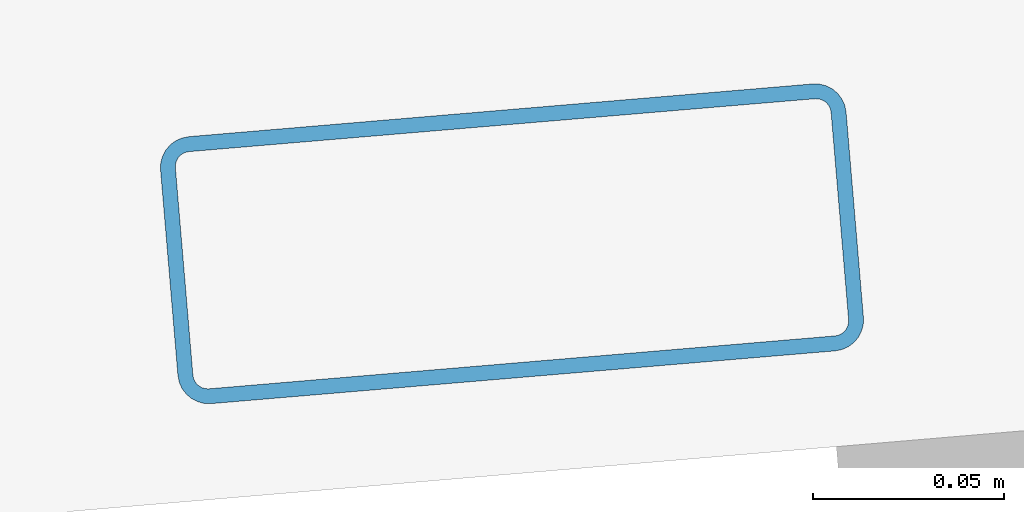
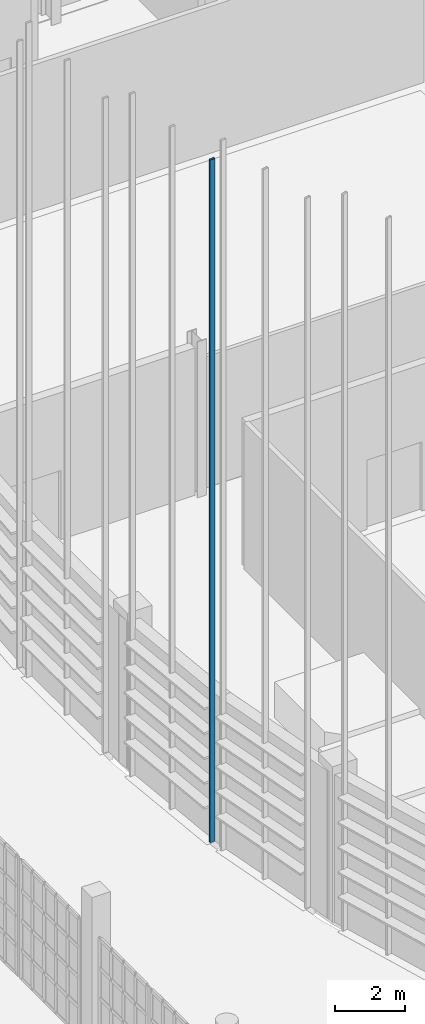
# One storey, part 83 of 372: 1 member.
"""IFC4 building model written with IfcOpenShell, lengths in metres."""

from ifc_helpers import new_model, si_unit, direction, frame, origin, origin_2d, place, context, subcontext, project, spatial, hollow_rectangle, extrude, material, material_profile, profile_set, type_object, element, save


model = new_model("IFC4")

# Units and contexts
model_context = context("Model", 3, precision=1e-05, world=origin(), true_north=direction((0.0, 1.0)))
body_context = subcontext(model_context, "Body", "Model", "MODEL_VIEW")
ifc_project = project(units=[si_unit("LENGTHUNIT", "METRE"), si_unit("AREAUNIT", "SQUARE_METRE"), si_unit("VOLUMEUNIT", "CUBIC_METRE"), si_unit("PLANEANGLEUNIT", "RADIAN"), si_unit("MASSUNIT", "GRAM", prefix="KILO")], contexts=[model_context])

# Site, building, storey
site_placement = place(None, origin())
site = spatial("IfcSite", under=ifc_project, at=site_placement, CompositionType="ELEMENT")
building_placement = place(site_placement, origin())
building = spatial("IfcBuilding", under=site, at=building_placement, Name="Kaelora Sail Theatre", CompositionType="ELEMENT")
storey_placement = place(building_placement, origin())
storey = spatial("IfcBuildingStorey", under=building, at=storey_placement, Name="L00", CompositionType="ELEMENT", Elevation=0.0)

# Member
ifc_material = material(Name="Anodised aluminium 6063-T6", Category="aluminium")
ifc_material_profile = material_profile(ifc_material, hollow_rectangle(XDim=0.070068359375, YDim=0.179931640625, WallThickness=0.00390625, InnerFilletRadius=0.00390625, OuterFilletRadius=0.008056640625, at=origin_2d()), Name="ALU-MULL 70x180x4")
ifc_profile_set = profile_set([ifc_material_profile], Name="Anodised aluminium 6063-T6")
member_type = type_object("IfcMemberType", Name="ARC-MEM-PST-160", PredefinedType="POST", material=ifc_profile_set)
member_placement = place(storey_placement, frame((25.603515625, 45.791748046875, 0.0), z_axis=(0.0, 0.0, 1.0), x_axis=(-0.084199594279, 0.996448909038, 0.0)))
element("IfcMember", 1, at=member_placement, inside=storey, type_object=member_type, Name="Main Theatre Sail Drum solar louvre vertical support post C20-1", PredefinedType="POST", context=body_context, shape_type="SweptSolid", body=[
    extrude(hollow_rectangle(XDim=0.070068359375, YDim=0.179931640625, WallThickness=0.00390625, InnerFilletRadius=0.00390625, OuterFilletRadius=0.008056640625, at=origin_2d()), origin(), (0.0, 0.0, 1.0), 23.66259765625),
])

save(model, "model.ifc")
